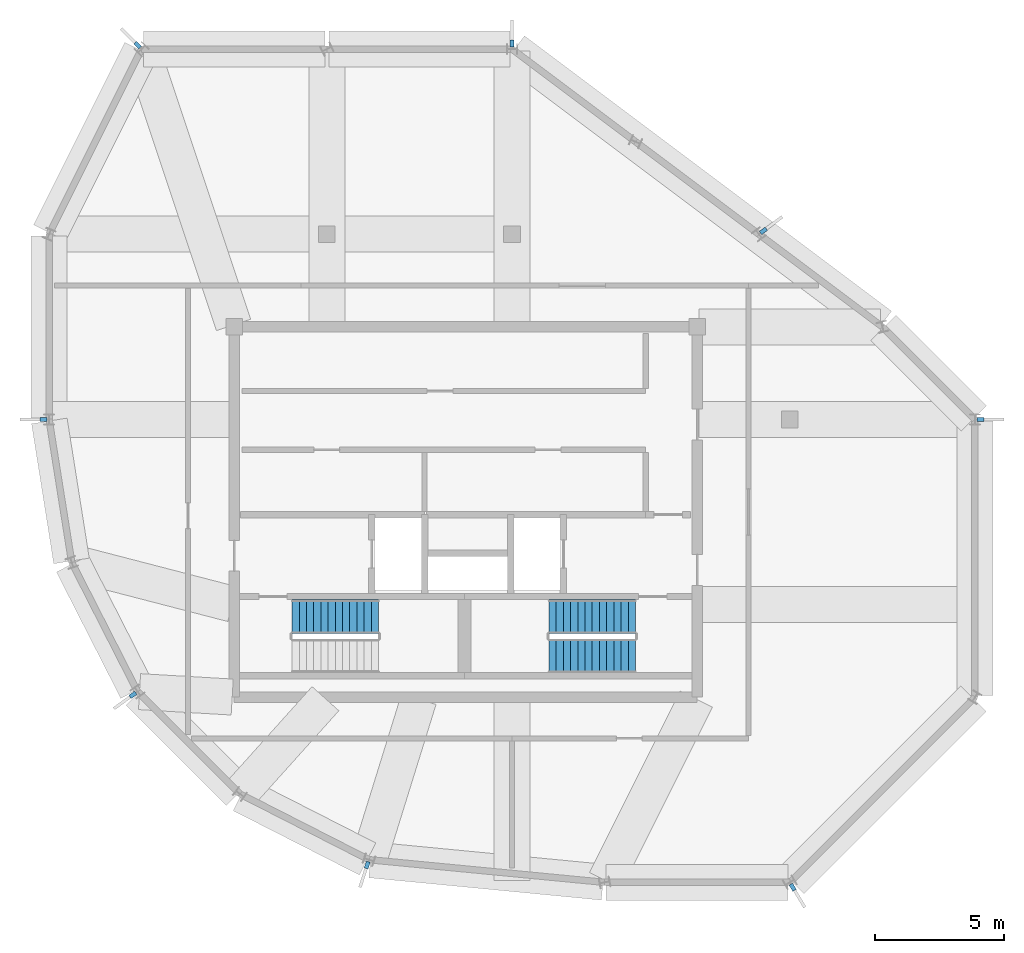
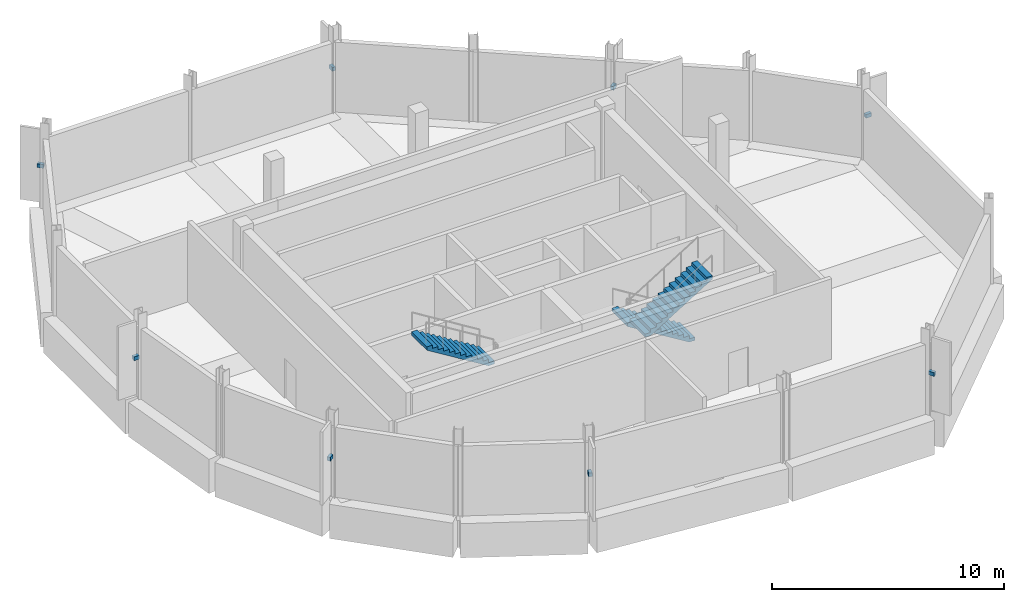
# One storey, part 3 of 5: 8 discrete accessories, 3 stair flights, 2 elements without a shape of their own.
"""IFC4 building model written with IfcOpenShell, lengths in metres."""

from ifc_helpers import new_model, si_unit, direction, frame, origin, origin_2d, place, context, subcontext, project, spatial, polyline, rectangle, outline, extrude, material, type_object, element, aggregate, save


model = new_model("IFC4")

# Units and contexts
model_context = context("Model", 3, precision=1e-05, world=origin(), true_north=direction((0.0, 1.0)))
body_context = subcontext(model_context, "Body", "Model", "MODEL_VIEW")
ifc_project = project(units=[si_unit("LENGTHUNIT", "METRE"), si_unit("AREAUNIT", "SQUARE_METRE"), si_unit("VOLUMEUNIT", "CUBIC_METRE"), si_unit("PLANEANGLEUNIT", "RADIAN"), si_unit("MASSUNIT", "GRAM", prefix="KILO")], contexts=[model_context])

# Site, building, storey
site_placement = place(None, origin())
site = spatial("IfcSite", under=ifc_project, at=site_placement, CompositionType="ELEMENT")
building_placement = place(site_placement, origin())
building = spatial("IfcBuilding", under=site, at=building_placement, Name="Solnavia Interchange Tower", CompositionType="ELEMENT")
storey_placement = place(building_placement, frame((0.0, 0.0, 304.199951171875)))
storey = spatial("IfcBuildingStorey", under=building, at=storey_placement, Name="C01", CompositionType="ELEMENT", Elevation=304.199951171875)

# Stair, stair flight
ifc_material_1 = material(Name="Concrete C40/50", Category="concrete")
stair_type = type_object("IfcStairType", Name="Stair-Dogleg-RC", PredefinedType="HALF_TURN_STAIR", material=ifc_material_1)
stair_1_placement = place(storey_placement, origin())
stair_1 = element("IfcStair", 1, at=stair_1_placement, inside=storey, type_object=stair_type, Name="C01 Core exit stair 1", PredefinedType="HALF_TURN_STAIR")
stair_flight_type = type_object("IfcStairFlightType", Name="StairFlight-RC-150", PredefinedType="STRAIGHT", material=ifc_material_1)
stair_flight_1_placement = place(storey_placement, frame((20.010009765625, 13.929931640625, 2.25), z_axis=(0.0, 0.0, 1.0), x_axis=(-1.0, 0.0, 0.0)))
stair_flight_1 = element("IfcStairFlight", 2, at=stair_flight_1_placement, type_object=stair_flight_type, Name="ST-1 flight 2", NumberOfRisers=13, NumberOfTreads=12, PredefinedType="STRAIGHT", RiserHeight=0.173076923, TreadLength=0.28, context=body_context, shape_type="SweptSolid", body=[
    extrude(outline(polyline([(0.0, 0.0), (0.0, 0.173095703125), (0.280029296875, 0.173095703125), (0.280029296875, 0.34619140625), (0.56005859375, 0.34619140625), (0.56005859375, 0.519287109375), (0.840087890625, 0.519287109375), (0.840087890625, 0.6923828125), (1.1201171875, 0.6923828125), (1.1201171875, 0.865478515625), (1.39990234375, 0.865478515625), (1.39990234375, 1.03857421875), (1.679931640625, 1.03857421875), (1.679931640625, 1.21142578125), (1.9599609375, 1.21142578125), (1.9599609375, 1.384521484375), (2.239990234375, 1.384521484375), (2.239990234375, 1.5576171875), (2.52001953125, 1.5576171875), (2.52001953125, 1.730712890625), (2.800048828125, 1.730712890625), (2.800048828125, 1.90380859375), (3.080078125, 1.90380859375), (3.080078125, 2.076904296875), (3.360107421875, 2.076904296875), (3.360107421875, 2.25), (3.360107421875, 1.900634765625), (0.28515625, 0.0), (0.0, 0.0)])), frame((0.0, 0.66015625, 0.0), z_axis=(0.0, -1.0, 0.0), x_axis=(1.0, 0.0, 0.0)), (0.0, 0.0, 1.0), 1.320068359375),
])
aggregate(stair_1, [stair_flight_1])

# Stair, stair flights
stair_2_placement = place(storey_placement, origin())
stair_2 = element("IfcStair", 3, at=stair_2_placement, inside=storey, type_object=stair_type, Name="C01 Core exit stair 2", PredefinedType="HALF_TURN_STAIR")
stair_flight_2_placement = place(storey_placement, frame((30.0, 13.929931640625, 0.0), z_axis=(0.0, 0.0, 1.0), x_axis=(-1.0, 0.0, 0.0)))
stair_flight_2 = element("IfcStairFlight", 4, at=stair_flight_2_placement, type_object=stair_flight_type, Name="ST-2 flight 1", NumberOfRisers=13, NumberOfTreads=12, PredefinedType="STRAIGHT", RiserHeight=0.173076923, TreadLength=0.28, context=body_context, shape_type="SweptSolid", body=[
    extrude(outline(polyline([(0.0, 0.0), (0.0, 0.173095703125), (0.280029296875, 0.173095703125), (0.280029296875, 0.34619140625), (0.56005859375, 0.34619140625), (0.56005859375, 0.519287109375), (0.840087890625, 0.519287109375), (0.840087890625, 0.6923828125), (1.1201171875, 0.6923828125), (1.1201171875, 0.865478515625), (1.39990234375, 0.865478515625), (1.39990234375, 1.03857421875), (1.679931640625, 1.03857421875), (1.679931640625, 1.21142578125), (1.9599609375, 1.21142578125), (1.9599609375, 1.384521484375), (2.239990234375, 1.384521484375), (2.239990234375, 1.5576171875), (2.52001953125, 1.5576171875), (2.52001953125, 1.730712890625), (2.800048828125, 1.730712890625), (2.800048828125, 1.90380859375), (3.080078125, 1.90380859375), (3.080078125, 2.076904296875), (3.360107421875, 2.076904296875), (3.360107421875, 2.25), (3.360107421875, 1.900634765625), (0.28515625, 0.0), (0.0, 0.0)])), frame((0.0, 0.66015625, 0.0), z_axis=(0.0, -1.0, 0.0), x_axis=(1.0, 0.0, 0.0)), (0.0, 0.0, 1.0), 1.320068359375),
])
stair_flight_3_placement = place(storey_placement, frame((26.639892578125, 12.409912109375, 2.25), z_axis=(0.0, 0.0, 1.0), x_axis=(1.0, 0.0, 0.0)))
stair_flight_3 = element("IfcStairFlight", 5, at=stair_flight_3_placement, type_object=stair_flight_type, Name="ST-2 flight 2", NumberOfRisers=13, NumberOfTreads=12, PredefinedType="STRAIGHT", RiserHeight=0.173076923, TreadLength=0.28, context=body_context, shape_type="SweptSolid", body=[
    extrude(outline(polyline([(0.0, 0.0), (0.0, 0.173095703125), (0.280029296875, 0.173095703125), (0.280029296875, 0.34619140625), (0.56005859375, 0.34619140625), (0.56005859375, 0.519287109375), (0.840087890625, 0.519287109375), (0.840087890625, 0.6923828125), (1.1201171875, 0.6923828125), (1.1201171875, 0.865478515625), (1.39990234375, 0.865478515625), (1.39990234375, 1.03857421875), (1.679931640625, 1.03857421875), (1.679931640625, 1.21142578125), (1.9599609375, 1.21142578125), (1.9599609375, 1.384521484375), (2.239990234375, 1.384521484375), (2.239990234375, 1.5576171875), (2.52001953125, 1.5576171875), (2.52001953125, 1.730712890625), (2.800048828125, 1.730712890625), (2.800048828125, 1.90380859375), (3.080078125, 1.90380859375), (3.080078125, 2.076904296875), (3.360107421875, 2.076904296875), (3.360107421875, 2.25), (3.360107421875, 1.900634765625), (0.28515625, 0.0), (0.0, 0.0)])), frame((0.0, 0.66015625, 0.0), z_axis=(0.0, -1.0, 0.0), x_axis=(1.0, 0.0, 0.0)), (0.0, 0.0, 1.0), 1.320068359375),
])
aggregate(stair_2, [stair_flight_2, stair_flight_3])

# Discrete accessories
ifc_material_2 = material(Name="Stainless Steel 1.4401", Category="steel")
discrete_accessory_type = type_object("IfcDiscreteAccessoryType", Name="Bracket-Shade-220", PredefinedType="BRACKET", material=ifc_material_2)
for number, where, z_axis, x_axis, name in (
    (6, (43.419921875, 21.60009765625, 2.02490234375), (0.0, 0.0, 1.0), (1.0, 0.0, 0.0), "BRK-C01-F01 Crown fin mounting bracket"),
    (7, (34.97607421875, 28.931884765625, 2.02490234375), (0.0, 0.0, 1.0), (0.799998928149, 0.600001429133, 0.0), "BRK-C01-F03 Crown fin mounting bracket"),
    (8, (25.199951171875, 36.219970703125, 2.02490234375), (0.0, 0.0, 1.0), (0.0, 1.0, 0.0), "BRK-C01-F05 Crown fin mounting bracket"),
    (9, (10.644287109375, 36.155517578125, 2.02490234375), (0.0, 0.0, 1.0), (-0.707106781187, 0.707106781187, 0.0), "BRK-C01-F07 Crown fin mounting bracket"),
    (10, (6.97998046875, 21.60009765625, 2.02490234375), (0.0, 0.0, 1.0), (-1.0, 0.0, 0.0), "BRK-C01-F09 Crown fin mounting bracket"),
    (11, (10.4599609375, 10.890625, 2.02490234375), (0.0, 0.0, 1.0), (-0.809016994375, -0.587785252292, 0.0), "BRK-C01-F11 Crown fin mounting bracket"),
    (12, (19.570068359375, 4.271728515625, 2.02490234375), (0.0, 0.0, 1.0), (-0.309016994375, -0.951056516295, 0.0), "BRK-C01-F13 Crown fin mounting bracket"),
    (13, (36.11328125, 3.411376953125, 2.02490234375), (0.0, 0.0, 1.0), (0.514439533782, -0.857526656194, 0.0), "BRK-C01-F15 Crown fin mounting bracket"),
):
    element("IfcDiscreteAccessory", number, at=place(storey_placement, frame(where, z_axis=z_axis, x_axis=x_axis)), inside=storey, type_object=discrete_accessory_type, Name=name, PredefinedType="BRACKET", context=body_context, shape_type="SweptSolid", body=[
        extrude(rectangle(XDim=0.280029296875, YDim=0.159912109375, at=origin_2d()), origin(), (0.0, 0.0, 1.0), 0.199951171875),
    ])

save(model, "model.ifc")
